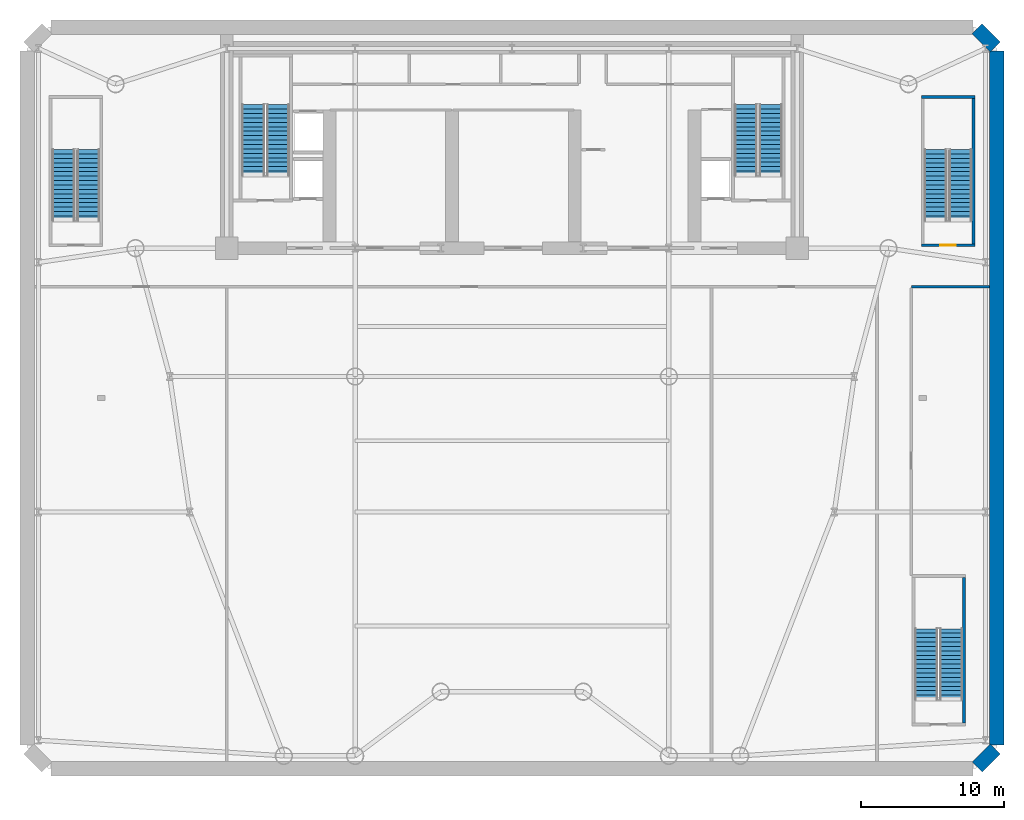
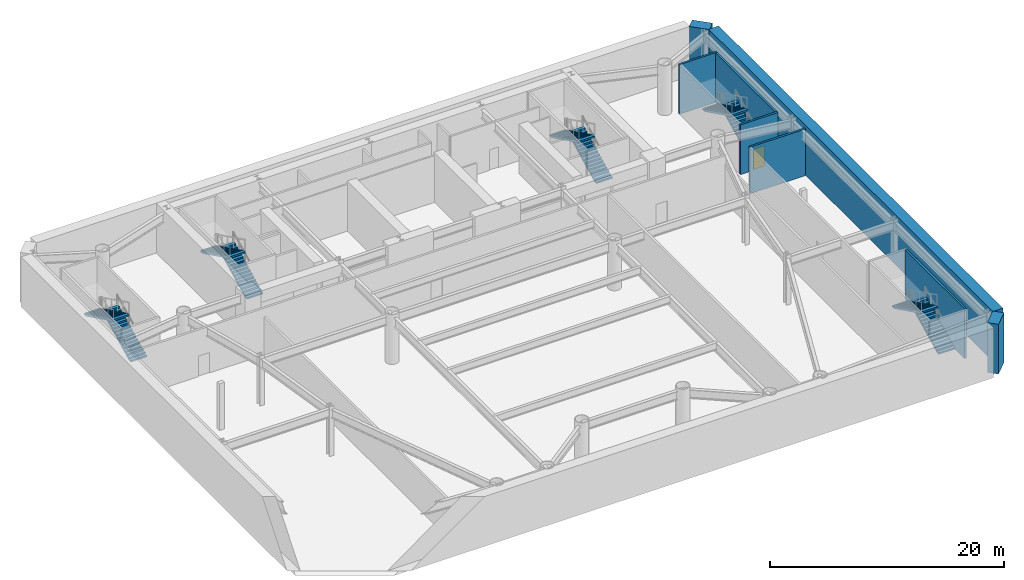
# One storey, part 4 of 9: 10 stair flights, 8 walls, 1 door, 1 opening, 5 elements without a shape of their own.
"""IFC4 building model written with IfcOpenShell, lengths in metres."""

from ifc_helpers import new_model, si_unit, direction, frame, frame_2d, origin, place, context, subcontext, project, spatial, polyline, rectangle, outline, extrude, source, transform, mapped, material, layer, layer_set, type_object, element, fill, aggregate, save


model = new_model("IFC4")

# Units and contexts
model_context = context("Model", 3, precision=1e-05, world=origin(), true_north=direction((0.0, 1.0)))
body_context = subcontext(model_context, "Body", "Model", "MODEL_VIEW")
ifc_project = project(units=[si_unit("LENGTHUNIT", "METRE"), si_unit("AREAUNIT", "SQUARE_METRE"), si_unit("VOLUMEUNIT", "CUBIC_METRE"), si_unit("PLANEANGLEUNIT", "RADIAN"), si_unit("MASSUNIT", "GRAM", prefix="KILO")], contexts=[model_context])

# Site, building, storey
site_placement = place(None, origin())
site = spatial("IfcSite", under=ifc_project, at=site_placement, CompositionType="ELEMENT")
building_placement = place(site_placement, origin())
building = spatial("IfcBuilding", under=site, at=building_placement, Name="Vaeldorn Concourse Tower", CompositionType="ELEMENT")
storey_placement = place(building_placement, frame((0.0, 0.0, -10.39990234375)))
storey = spatial("IfcBuildingStorey", under=building, at=storey_placement, Name="B02", CompositionType="ELEMENT", Elevation=-10.39990234375)

# Walls
ifc_material_1 = material(Name="Concrete C50/60", Category="concrete")
ifc_layer_1 = layer(ifc_material_1, 1.0)
ifc_layer_set_1 = layer_set([ifc_layer_1], Name="Concrete C50/60")
wall_type_1 = type_object("IfcWallType", Name="WL-DIAPH-1000", PredefinedType="STANDARD", material=ifc_layer_set_1)
wall_1_placement = place(storey_placement, frame((66.613037109375, 0.113037109375, 0.0), z_axis=(0.0, 0.0, 1.0), x_axis=(0.707106781187, 0.707106781187, 0.0)))
element("IfcWall", 1, at=wall_1_placement, inside=storey, type_object=wall_type_1, Name="Substructure Diaphragm Wall B02-02", PredefinedType="STANDARD", context=body_context, shape_type="SweptSolid", body=[
    extrude(rectangle(XDim=1.801513671875, YDim=1.0, at=frame_2d((0.90087890625, 0.0))), origin(), (0.0, 0.0, 1.0), 5.199951171875),
])
wall_2_placement = place(storey_placement, frame((68.0, 1.659912109375, 0.0), z_axis=(0.0, 0.0, 1.0), x_axis=(0.0, 1.0, 0.0)))
element("IfcWall", 2, at=wall_2_placement, inside=storey, type_object=wall_type_1, Name="Substructure Diaphragm Wall B02-03", PredefinedType="STANDARD", context=body_context, shape_type="SweptSolid", body=[
    extrude(rectangle(XDim=48.68017578125, YDim=1.0, at=frame_2d((24.340087890625, 0.0))), origin(), (0.0, 0.0, 1.0), 5.199951171875),
])
wall_3_placement = place(storey_placement, frame((67.886962890625, 50.613037109375, 0.0), z_axis=(0.0, 0.0, 1.0), x_axis=(-0.707106781187, 0.707106781187, 0.0)))
element("IfcWall", 3, at=wall_3_placement, inside=storey, type_object=wall_type_1, Name="Substructure Diaphragm Wall B02-04", PredefinedType="STANDARD", context=body_context, shape_type="SweptSolid", body=[
    extrude(rectangle(XDim=1.801513671875, YDim=1.0, at=frame_2d((0.90087890625, 0.0))), origin(), (0.0, 0.0, 1.0), 5.199951171875),
])

# Wall, opening, door
ifc_layer_2 = layer(ifc_material_1, 0.199951171875)
ifc_layer_set_2 = layer_set([ifc_layer_2], Name="Concrete C50/60")
wall_type_2 = type_object("IfcWallType", Name="WL-SHAFT-200", PredefinedType="SOLIDWALL", material=ifc_layer_set_2)
wall_4_placement = place(storey_placement, frame((62.699951171875, 36.699951171875, 0.0), z_axis=(0.0, 0.0, 1.0), x_axis=(1.0, 0.0, 0.0)))
wall_4 = element("IfcWall", 4, at=wall_4_placement, inside=storey, type_object=wall_type_2, Name="Stair Shaft Wall CW-B02-ST-4-S", PredefinedType="SOLIDWALL", context=body_context, shape_type="SweptSolid", body=[
    extrude(rectangle(XDim=3.75, YDim=0.199951171875, at=frame_2d((1.875, 0.0))), origin(), (0.0, 0.0, 1.0), 5.199951171875),
])
opening_placement = place(wall_4_placement, frame((1.324951171875, 0.0, 0.0)))
opening = element("IfcOpeningElement", 5, at=opening_placement, cuts=wall_4, Name="Opening D-01", PredefinedType="OPENING", context=body_context, shape_type="SweptSolid", body=[
    extrude(rectangle(XDim=1.10009765625, YDim=2.14990234375, at=frame_2d((0.550048828125, 1.074951171875))), frame((0.0, 0.10986328125, 0.0), z_axis=(0.0, -1.0, 0.0), x_axis=(1.0, 0.0, 0.0)), (0.0, 0.0, 1.0), 0.219970703125),
])
ifc_material_2 = material(Name="Fire-Rated Timber and Steel Leaf", Category="steel")
door_type = type_object("IfcDoorType", Name="DR-FD60-1100", OperationType="NOTDEFINED", PredefinedType="DOOR", material=ifc_material_2)
shared_shape = source(origin(), body_context, "Body", "SweptSolid", [
    extrude(rectangle(XDim=1.10009765625, YDim=2.14990234375, at=frame_2d((0.550048828125, 1.074951171875))), frame((0.0, 0.02490234375, 0.0), z_axis=(0.0, -1.0, 0.0), x_axis=(1.0, 0.0, 0.0)), (0.0, 0.0, 1.0), 0.050048828125),
])
door_placement = place(opening_placement, origin())
door = element("IfcDoor", 6, at=door_placement, inside=storey, type_object=door_type, Name="Interior Door DR-B02-ST-4", OperationType="SINGLE_SWING_RIGHT", OverallHeight=2.14990234375, OverallWidth=1.10009765625, PredefinedType="DOOR", context=body_context, shape_type="MappedRepresentation", body=[
    mapped(shared_shape, transform((0.0, 0.0, 0.0), scale=1.0)),
])
fill(opening, door)

# Walls
wall_5_placement = place(storey_placement, frame((62.699951171875, 47.10009765625, 0.0), z_axis=(0.0, 0.0, 1.0), x_axis=(1.0, 0.0, 0.0)))
element("IfcWall", 7, at=wall_5_placement, inside=storey, type_object=wall_type_2, Name="Stair Shaft Wall CW-B02-ST-4-N", PredefinedType="SOLIDWALL", context=body_context, shape_type="SweptSolid", body=[
    extrude(rectangle(XDim=3.75, YDim=0.199951171875, at=frame_2d((1.875, 0.0))), origin(), (0.0, 0.0, 1.0), 5.199951171875),
])
for number, where, z_axis, x_axis, name in (
    (8, (66.35009765625, 36.81005859375, 0.0), (0.0, 0.0, 1.0), (0.0, 1.0, 0.0), "Stair Shaft Wall CW-B02-ST-4-E"),
    (9, (65.699951171875, 3.2099609375, 0.0), (0.0, 0.0, 1.0), (0.0, 1.0, 0.0), "Stair Shaft Wall CW-B02-ST-5-E"),
):
    element("IfcWall", number, at=place(storey_placement, frame(where, z_axis=z_axis, x_axis=x_axis)), inside=storey, type_object=wall_type_2, Name=name, PredefinedType="SOLIDWALL", context=body_context, shape_type="SweptSolid", body=[
        extrude(rectangle(XDim=10.179931640625, YDim=0.199951171875, at=frame_2d((5.08984375, 0.0))), origin(), (0.0, 0.0, 1.0), 5.199951171875),
    ])
wall_6_placement = place(storey_placement, frame((62.0, 33.800048828125, 0.0), z_axis=(0.0, 0.0, 1.0), x_axis=(1.0, 0.0, 0.0)))
element("IfcWall", 10, at=wall_6_placement, inside=storey, type_object=wall_type_2, Name="Interior Wall PW-B02-CORE", PredefinedType="SOLIDWALL", context=body_context, shape_type="SweptSolid", body=[
    extrude(rectangle(XDim=5.47998046875, YDim=0.199951171875, at=frame_2d((2.739990234375, 0.0))), origin(), (0.0, 0.0, 1.0), 4.8798828125),
])

# Stair, stair flights
ifc_material_3 = material(Name="Precast concrete C40/50", Category="concrete")
stair_type = type_object("IfcStairType", Name="STR-DOG-34x153", PredefinedType="HALF_TURN_STAIR", material=ifc_material_3)
stair_1_placement = place(storey_placement, origin())
stair_1 = element("IfcStair", 11, at=stair_1_placement, inside=storey, type_object=stair_type, Name="B02 West Core Exit Stair ST-1", PredefinedType="HALF_TURN_STAIR")
stair_flight_type = type_object("IfcStairFlightType", Name="STF-STR-17x153", PredefinedType="STRAIGHT", material=ifc_material_3)
stair_flight_1_placement = place(storey_placement, frame((17.60009765625, 41.60009765625, 0.0), z_axis=(0.0, 0.0, 1.0), x_axis=(0.0, 1.0, 0.0)))
stair_flight_1 = element("IfcStairFlight", 12, at=stair_flight_1_placement, type_object=stair_flight_type, Name="ST-1 flight 1", NumberOfRisers=17, NumberOfTreads=16, PredefinedType="STRAIGHT", RiserHeight=0.152941176, TreadLength=0.31, context=body_context, shape_type="SweptSolid", body=[
    extrude(outline(polyline([(0.0, 0.0), (0.0, 0.15283203125), (0.31005859375, 0.15283203125), (0.31005859375, 0.305908203125), (0.6201171875, 0.305908203125), (0.6201171875, 0.458740234375), (0.929931640625, 0.458740234375), (0.929931640625, 0.61181640625), (1.239990234375, 0.61181640625), (1.239990234375, 0.7646484375), (1.550048828125, 0.7646484375), (1.550048828125, 0.917724609375), (1.860107421875, 0.917724609375), (1.860107421875, 1.070556640625), (2.169921875, 1.070556640625), (2.169921875, 1.2236328125), (2.47998046875, 1.2236328125), (2.47998046875, 1.37646484375), (2.7900390625, 1.37646484375), (2.7900390625, 1.529296875), (3.10009765625, 1.529296875), (3.10009765625, 1.682373046875), (3.409912109375, 1.682373046875), (3.409912109375, 1.835205078125), (3.719970703125, 1.835205078125), (3.719970703125, 1.98828125), (4.030029296875, 1.98828125), (4.030029296875, 2.14111328125), (4.340087890625, 2.14111328125), (4.340087890625, 2.294189453125), (4.64990234375, 2.294189453125), (4.64990234375, 2.447021484375), (4.9599609375, 2.447021484375), (4.9599609375, 2.60009765625), (4.9599609375, 2.27978515625), (0.3388671875, 0.0), (0.0, 0.0)])), frame((0.0, 0.800048828125, 0.0), z_axis=(0.0, -1.0, 0.0), x_axis=(1.0, 0.0, 0.0)), (0.0, 0.0, 1.0), 1.60009765625),
])
stair_flight_2_placement = place(storey_placement, frame((15.85009765625, 46.56005859375, 2.599853515625), z_axis=(0.0, 0.0, 1.0), x_axis=(0.0, -1.0, 0.0)))
stair_flight_2 = element("IfcStairFlight", 13, at=stair_flight_2_placement, type_object=stair_flight_type, Name="ST-1 flight 2", NumberOfRisers=17, NumberOfTreads=16, PredefinedType="STRAIGHT", RiserHeight=0.152941176, TreadLength=0.31, context=body_context, shape_type="SweptSolid", body=[
    extrude(outline(polyline([(0.0, 0.0), (0.0, 0.15283203125), (0.31005859375, 0.15283203125), (0.31005859375, 0.305908203125), (0.6201171875, 0.305908203125), (0.6201171875, 0.458740234375), (0.929931640625, 0.458740234375), (0.929931640625, 0.61181640625), (1.239990234375, 0.61181640625), (1.239990234375, 0.7646484375), (1.550048828125, 0.7646484375), (1.550048828125, 0.917724609375), (1.860107421875, 0.917724609375), (1.860107421875, 1.070556640625), (2.169921875, 1.070556640625), (2.169921875, 1.2236328125), (2.47998046875, 1.2236328125), (2.47998046875, 1.37646484375), (2.7900390625, 1.37646484375), (2.7900390625, 1.529296875), (3.10009765625, 1.529296875), (3.10009765625, 1.682373046875), (3.409912109375, 1.682373046875), (3.409912109375, 1.835205078125), (3.719970703125, 1.835205078125), (3.719970703125, 1.98828125), (4.030029296875, 1.98828125), (4.030029296875, 2.14111328125), (4.340087890625, 2.14111328125), (4.340087890625, 2.294189453125), (4.64990234375, 2.294189453125), (4.64990234375, 2.447021484375), (4.9599609375, 2.447021484375), (4.9599609375, 2.60009765625), (4.9599609375, 2.27978515625), (0.3388671875, 0.0), (0.0, 0.0)])), frame((0.0, 0.800048828125, 0.0), z_axis=(0.0, -1.0, 0.0), x_axis=(1.0, 0.0, 0.0)), (0.0, 0.0, 1.0), 1.60009765625),
])
aggregate(stair_1, [stair_flight_1, stair_flight_2])

stair_2_placement = place(storey_placement, origin())
stair_2 = element("IfcStair", 14, at=stair_2_placement, inside=storey, type_object=stair_type, Name="B02 East Core Exit Stair ST-2", PredefinedType="HALF_TURN_STAIR")
stair_flight_3_placement = place(storey_placement, frame((52.14990234375, 41.60009765625, 0.0), z_axis=(0.0, 0.0, 1.0), x_axis=(0.0, 1.0, 0.0)))
stair_flight_3 = element("IfcStairFlight", 15, at=stair_flight_3_placement, type_object=stair_flight_type, Name="ST-2 flight 1", NumberOfRisers=17, NumberOfTreads=16, PredefinedType="STRAIGHT", RiserHeight=0.152941176, TreadLength=0.31, context=body_context, shape_type="SweptSolid", body=[
    extrude(outline(polyline([(0.0, 0.0), (0.0, 0.15283203125), (0.31005859375, 0.15283203125), (0.31005859375, 0.305908203125), (0.6201171875, 0.305908203125), (0.6201171875, 0.458740234375), (0.929931640625, 0.458740234375), (0.929931640625, 0.61181640625), (1.239990234375, 0.61181640625), (1.239990234375, 0.7646484375), (1.550048828125, 0.7646484375), (1.550048828125, 0.917724609375), (1.860107421875, 0.917724609375), (1.860107421875, 1.070556640625), (2.169921875, 1.070556640625), (2.169921875, 1.2236328125), (2.47998046875, 1.2236328125), (2.47998046875, 1.37646484375), (2.7900390625, 1.37646484375), (2.7900390625, 1.529296875), (3.10009765625, 1.529296875), (3.10009765625, 1.682373046875), (3.409912109375, 1.682373046875), (3.409912109375, 1.835205078125), (3.719970703125, 1.835205078125), (3.719970703125, 1.98828125), (4.030029296875, 1.98828125), (4.030029296875, 2.14111328125), (4.340087890625, 2.14111328125), (4.340087890625, 2.294189453125), (4.64990234375, 2.294189453125), (4.64990234375, 2.447021484375), (4.9599609375, 2.447021484375), (4.9599609375, 2.60009765625), (4.9599609375, 2.27978515625), (0.3388671875, 0.0), (0.0, 0.0)])), frame((0.0, 0.800048828125, 0.0), z_axis=(0.0, -1.0, 0.0), x_axis=(1.0, 0.0, 0.0)), (0.0, 0.0, 1.0), 1.60009765625),
])
stair_flight_4_placement = place(storey_placement, frame((50.39990234375, 46.56005859375, 2.599853515625), z_axis=(0.0, 0.0, 1.0), x_axis=(0.0, -1.0, 0.0)))
stair_flight_4 = element("IfcStairFlight", 16, at=stair_flight_4_placement, type_object=stair_flight_type, Name="ST-2 flight 2", NumberOfRisers=17, NumberOfTreads=16, PredefinedType="STRAIGHT", RiserHeight=0.152941176, TreadLength=0.31, context=body_context, shape_type="SweptSolid", body=[
    extrude(outline(polyline([(0.0, 0.0), (0.0, 0.15283203125), (0.31005859375, 0.15283203125), (0.31005859375, 0.305908203125), (0.6201171875, 0.305908203125), (0.6201171875, 0.458740234375), (0.929931640625, 0.458740234375), (0.929931640625, 0.61181640625), (1.239990234375, 0.61181640625), (1.239990234375, 0.7646484375), (1.550048828125, 0.7646484375), (1.550048828125, 0.917724609375), (1.860107421875, 0.917724609375), (1.860107421875, 1.070556640625), (2.169921875, 1.070556640625), (2.169921875, 1.2236328125), (2.47998046875, 1.2236328125), (2.47998046875, 1.37646484375), (2.7900390625, 1.37646484375), (2.7900390625, 1.529296875), (3.10009765625, 1.529296875), (3.10009765625, 1.682373046875), (3.409912109375, 1.682373046875), (3.409912109375, 1.835205078125), (3.719970703125, 1.835205078125), (3.719970703125, 1.98828125), (4.030029296875, 1.98828125), (4.030029296875, 2.14111328125), (4.340087890625, 2.14111328125), (4.340087890625, 2.294189453125), (4.64990234375, 2.294189453125), (4.64990234375, 2.447021484375), (4.9599609375, 2.447021484375), (4.9599609375, 2.60009765625), (4.9599609375, 2.27978515625), (0.3388671875, 0.0), (0.0, 0.0)])), frame((0.0, 0.800048828125, 0.0), z_axis=(0.0, -1.0, 0.0), x_axis=(1.0, 0.0, 0.0)), (0.0, 0.0, 1.0), 1.60009765625),
])
aggregate(stair_2, [stair_flight_3, stair_flight_4])

stair_3_placement = place(storey_placement, origin())
stair_3 = element("IfcStair", 17, at=stair_3_placement, inside=storey, type_object=stair_type, Name="B02 Station West Exit Stair ST-3", PredefinedType="HALF_TURN_STAIR")
stair_flight_5_placement = place(storey_placement, frame((4.300048828125, 38.449951171875, 0.0), z_axis=(0.0, 0.0, 1.0), x_axis=(0.0, 1.0, 0.0)))
stair_flight_5 = element("IfcStairFlight", 18, at=stair_flight_5_placement, type_object=stair_flight_type, Name="ST-3 flight 1", NumberOfRisers=17, NumberOfTreads=16, PredefinedType="STRAIGHT", RiserHeight=0.152941176, TreadLength=0.31, context=body_context, shape_type="SweptSolid", body=[
    extrude(outline(polyline([(0.0, 0.0), (0.0, 0.15283203125), (0.31005859375, 0.15283203125), (0.31005859375, 0.305908203125), (0.6201171875, 0.305908203125), (0.6201171875, 0.458740234375), (0.929931640625, 0.458740234375), (0.929931640625, 0.61181640625), (1.239990234375, 0.61181640625), (1.239990234375, 0.7646484375), (1.550048828125, 0.7646484375), (1.550048828125, 0.917724609375), (1.860107421875, 0.917724609375), (1.860107421875, 1.070556640625), (2.169921875, 1.070556640625), (2.169921875, 1.2236328125), (2.47998046875, 1.2236328125), (2.47998046875, 1.37646484375), (2.7900390625, 1.37646484375), (2.7900390625, 1.529296875), (3.10009765625, 1.529296875), (3.10009765625, 1.682373046875), (3.409912109375, 1.682373046875), (3.409912109375, 1.835205078125), (3.719970703125, 1.835205078125), (3.719970703125, 1.98828125), (4.030029296875, 1.98828125), (4.030029296875, 2.14111328125), (4.340087890625, 2.14111328125), (4.340087890625, 2.294189453125), (4.64990234375, 2.294189453125), (4.64990234375, 2.447021484375), (4.9599609375, 2.447021484375), (4.9599609375, 2.60009765625), (4.9599609375, 2.27978515625), (0.3388671875, 0.0), (0.0, 0.0)])), frame((0.0, 0.800048828125, 0.0), z_axis=(0.0, -1.0, 0.0), x_axis=(1.0, 0.0, 0.0)), (0.0, 0.0, 1.0), 1.60009765625),
])
stair_flight_6_placement = place(storey_placement, frame((2.550048828125, 43.409912109375, 2.599853515625), z_axis=(0.0, 0.0, 1.0), x_axis=(0.0, -1.0, 0.0)))
stair_flight_6 = element("IfcStairFlight", 19, at=stair_flight_6_placement, type_object=stair_flight_type, Name="ST-3 flight 2", NumberOfRisers=17, NumberOfTreads=16, PredefinedType="STRAIGHT", RiserHeight=0.152941176, TreadLength=0.31, context=body_context, shape_type="SweptSolid", body=[
    extrude(outline(polyline([(0.0, 0.0), (0.0, 0.15283203125), (0.31005859375, 0.15283203125), (0.31005859375, 0.305908203125), (0.6201171875, 0.305908203125), (0.6201171875, 0.458740234375), (0.929931640625, 0.458740234375), (0.929931640625, 0.61181640625), (1.239990234375, 0.61181640625), (1.239990234375, 0.7646484375), (1.550048828125, 0.7646484375), (1.550048828125, 0.917724609375), (1.860107421875, 0.917724609375), (1.860107421875, 1.070556640625), (2.169921875, 1.070556640625), (2.169921875, 1.2236328125), (2.47998046875, 1.2236328125), (2.47998046875, 1.37646484375), (2.7900390625, 1.37646484375), (2.7900390625, 1.529296875), (3.10009765625, 1.529296875), (3.10009765625, 1.682373046875), (3.409912109375, 1.682373046875), (3.409912109375, 1.835205078125), (3.719970703125, 1.835205078125), (3.719970703125, 1.98828125), (4.030029296875, 1.98828125), (4.030029296875, 2.14111328125), (4.340087890625, 2.14111328125), (4.340087890625, 2.294189453125), (4.64990234375, 2.294189453125), (4.64990234375, 2.447021484375), (4.9599609375, 2.447021484375), (4.9599609375, 2.60009765625), (4.9599609375, 2.27978515625), (0.3388671875, 0.0), (0.0, 0.0)])), frame((0.0, 0.800048828125, 0.0), z_axis=(0.0, -1.0, 0.0), x_axis=(1.0, 0.0, 0.0)), (0.0, 0.0, 1.0), 1.60009765625),
])
aggregate(stair_3, [stair_flight_5, stair_flight_6])

stair_4_placement = place(storey_placement, origin())
stair_4 = element("IfcStair", 20, at=stair_4_placement, inside=storey, type_object=stair_type, Name="B02 Station East Exit Stair ST-4", PredefinedType="HALF_TURN_STAIR")
stair_flight_7_placement = place(storey_placement, frame((65.449951171875, 38.449951171875, 0.0), z_axis=(0.0, 0.0, 1.0), x_axis=(0.0, 1.0, 0.0)))
stair_flight_7 = element("IfcStairFlight", 21, at=stair_flight_7_placement, type_object=stair_flight_type, Name="ST-4 flight 1", NumberOfRisers=17, NumberOfTreads=16, PredefinedType="STRAIGHT", RiserHeight=0.152941176, TreadLength=0.31, context=body_context, shape_type="SweptSolid", body=[
    extrude(outline(polyline([(0.0, 0.0), (0.0, 0.15283203125), (0.31005859375, 0.15283203125), (0.31005859375, 0.305908203125), (0.6201171875, 0.305908203125), (0.6201171875, 0.458740234375), (0.929931640625, 0.458740234375), (0.929931640625, 0.61181640625), (1.239990234375, 0.61181640625), (1.239990234375, 0.7646484375), (1.550048828125, 0.7646484375), (1.550048828125, 0.917724609375), (1.860107421875, 0.917724609375), (1.860107421875, 1.070556640625), (2.169921875, 1.070556640625), (2.169921875, 1.2236328125), (2.47998046875, 1.2236328125), (2.47998046875, 1.37646484375), (2.7900390625, 1.37646484375), (2.7900390625, 1.529296875), (3.10009765625, 1.529296875), (3.10009765625, 1.682373046875), (3.409912109375, 1.682373046875), (3.409912109375, 1.835205078125), (3.719970703125, 1.835205078125), (3.719970703125, 1.98828125), (4.030029296875, 1.98828125), (4.030029296875, 2.14111328125), (4.340087890625, 2.14111328125), (4.340087890625, 2.294189453125), (4.64990234375, 2.294189453125), (4.64990234375, 2.447021484375), (4.9599609375, 2.447021484375), (4.9599609375, 2.60009765625), (4.9599609375, 2.27978515625), (0.3388671875, 0.0), (0.0, 0.0)])), frame((0.0, 0.800048828125, 0.0), z_axis=(0.0, -1.0, 0.0), x_axis=(1.0, 0.0, 0.0)), (0.0, 0.0, 1.0), 1.60009765625),
])
stair_flight_8_placement = place(storey_placement, frame((63.699951171875, 43.409912109375, 2.599853515625), z_axis=(0.0, 0.0, 1.0), x_axis=(0.0, -1.0, 0.0)))
stair_flight_8 = element("IfcStairFlight", 22, at=stair_flight_8_placement, type_object=stair_flight_type, Name="ST-4 flight 2", NumberOfRisers=17, NumberOfTreads=16, PredefinedType="STRAIGHT", RiserHeight=0.152941176, TreadLength=0.31, context=body_context, shape_type="SweptSolid", body=[
    extrude(outline(polyline([(0.0, 0.0), (0.0, 0.15283203125), (0.31005859375, 0.15283203125), (0.31005859375, 0.305908203125), (0.6201171875, 0.305908203125), (0.6201171875, 0.458740234375), (0.929931640625, 0.458740234375), (0.929931640625, 0.61181640625), (1.239990234375, 0.61181640625), (1.239990234375, 0.7646484375), (1.550048828125, 0.7646484375), (1.550048828125, 0.917724609375), (1.860107421875, 0.917724609375), (1.860107421875, 1.070556640625), (2.169921875, 1.070556640625), (2.169921875, 1.2236328125), (2.47998046875, 1.2236328125), (2.47998046875, 1.37646484375), (2.7900390625, 1.37646484375), (2.7900390625, 1.529296875), (3.10009765625, 1.529296875), (3.10009765625, 1.682373046875), (3.409912109375, 1.682373046875), (3.409912109375, 1.835205078125), (3.719970703125, 1.835205078125), (3.719970703125, 1.98828125), (4.030029296875, 1.98828125), (4.030029296875, 2.14111328125), (4.340087890625, 2.14111328125), (4.340087890625, 2.294189453125), (4.64990234375, 2.294189453125), (4.64990234375, 2.447021484375), (4.9599609375, 2.447021484375), (4.9599609375, 2.60009765625), (4.9599609375, 2.27978515625), (0.3388671875, 0.0), (0.0, 0.0)])), frame((0.0, 0.800048828125, 0.0), z_axis=(0.0, -1.0, 0.0), x_axis=(1.0, 0.0, 0.0)), (0.0, 0.0, 1.0), 1.60009765625),
])
aggregate(stair_4, [stair_flight_7, stair_flight_8])

stair_5_placement = place(storey_placement, origin())
stair_5 = element("IfcStair", 23, at=stair_5_placement, inside=storey, type_object=stair_type, Name="B02 Podium Auditorium Exit Stair ST-5", PredefinedType="HALF_TURN_STAIR")
stair_flight_9_placement = place(storey_placement, frame((64.800048828125, 4.85009765625, 0.0), z_axis=(0.0, 0.0, 1.0), x_axis=(0.0, 1.0, 0.0)))
stair_flight_9 = element("IfcStairFlight", 24, at=stair_flight_9_placement, type_object=stair_flight_type, Name="ST-5 flight 1", NumberOfRisers=17, NumberOfTreads=16, PredefinedType="STRAIGHT", RiserHeight=0.152941176, TreadLength=0.31, context=body_context, shape_type="SweptSolid", body=[
    extrude(outline(polyline([(0.0, 0.0), (0.0, 0.15283203125), (0.31005859375, 0.15283203125), (0.31005859375, 0.305908203125), (0.6201171875, 0.305908203125), (0.6201171875, 0.458740234375), (0.929931640625, 0.458740234375), (0.929931640625, 0.61181640625), (1.239990234375, 0.61181640625), (1.239990234375, 0.7646484375), (1.550048828125, 0.7646484375), (1.550048828125, 0.917724609375), (1.860107421875, 0.917724609375), (1.860107421875, 1.070556640625), (2.169921875, 1.070556640625), (2.169921875, 1.2236328125), (2.47998046875, 1.2236328125), (2.47998046875, 1.37646484375), (2.7900390625, 1.37646484375), (2.7900390625, 1.529296875), (3.10009765625, 1.529296875), (3.10009765625, 1.682373046875), (3.409912109375, 1.682373046875), (3.409912109375, 1.835205078125), (3.719970703125, 1.835205078125), (3.719970703125, 1.98828125), (4.030029296875, 1.98828125), (4.030029296875, 2.14111328125), (4.340087890625, 2.14111328125), (4.340087890625, 2.294189453125), (4.64990234375, 2.294189453125), (4.64990234375, 2.447021484375), (4.9599609375, 2.447021484375), (4.9599609375, 2.60009765625), (4.9599609375, 2.27978515625), (0.3388671875, 0.0), (0.0, 0.0)])), frame((0.0, 0.800048828125, 0.0), z_axis=(0.0, -1.0, 0.0), x_axis=(1.0, 0.0, 0.0)), (0.0, 0.0, 1.0), 1.60009765625),
])
stair_flight_10_placement = place(storey_placement, frame((63.050048828125, 9.81005859375, 2.599853515625), z_axis=(0.0, 0.0, 1.0), x_axis=(0.0, -1.0, 0.0)))
stair_flight_10 = element("IfcStairFlight", 25, at=stair_flight_10_placement, type_object=stair_flight_type, Name="ST-5 flight 2", NumberOfRisers=17, NumberOfTreads=16, PredefinedType="STRAIGHT", RiserHeight=0.152941176, TreadLength=0.31, context=body_context, shape_type="SweptSolid", body=[
    extrude(outline(polyline([(0.0, 0.0), (0.0, 0.15283203125), (0.31005859375, 0.15283203125), (0.31005859375, 0.305908203125), (0.6201171875, 0.305908203125), (0.6201171875, 0.458740234375), (0.929931640625, 0.458740234375), (0.929931640625, 0.61181640625), (1.239990234375, 0.61181640625), (1.239990234375, 0.7646484375), (1.550048828125, 0.7646484375), (1.550048828125, 0.917724609375), (1.860107421875, 0.917724609375), (1.860107421875, 1.070556640625), (2.169921875, 1.070556640625), (2.169921875, 1.2236328125), (2.47998046875, 1.2236328125), (2.47998046875, 1.37646484375), (2.7900390625, 1.37646484375), (2.7900390625, 1.529296875), (3.10009765625, 1.529296875), (3.10009765625, 1.682373046875), (3.409912109375, 1.682373046875), (3.409912109375, 1.835205078125), (3.719970703125, 1.835205078125), (3.719970703125, 1.98828125), (4.030029296875, 1.98828125), (4.030029296875, 2.14111328125), (4.340087890625, 2.14111328125), (4.340087890625, 2.294189453125), (4.64990234375, 2.294189453125), (4.64990234375, 2.447021484375), (4.9599609375, 2.447021484375), (4.9599609375, 2.60009765625), (4.9599609375, 2.27978515625), (0.3388671875, 0.0), (0.0, 0.0)])), frame((0.0, 0.800048828125, 0.0), z_axis=(0.0, -1.0, 0.0), x_axis=(1.0, 0.0, 0.0)), (0.0, 0.0, 1.0), 1.60009765625),
])
aggregate(stair_5, [stair_flight_9, stair_flight_10])

save(model, "model.ifc")
